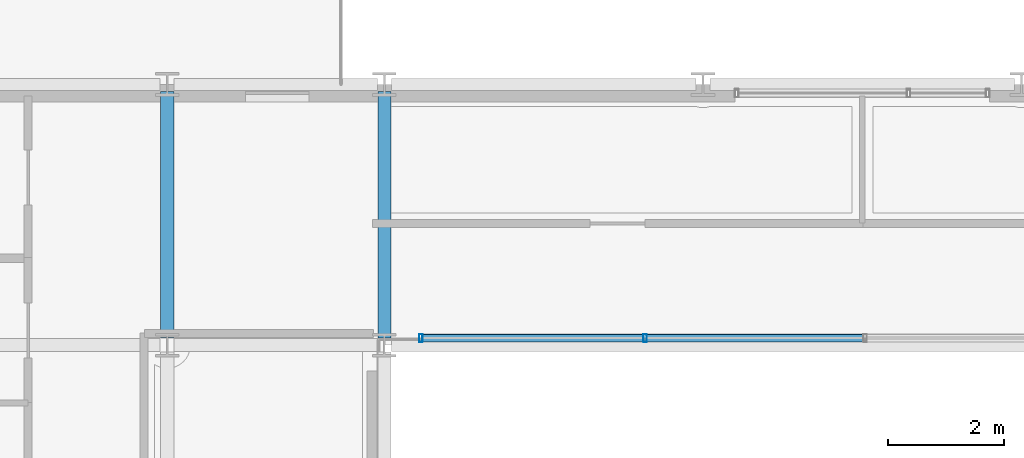
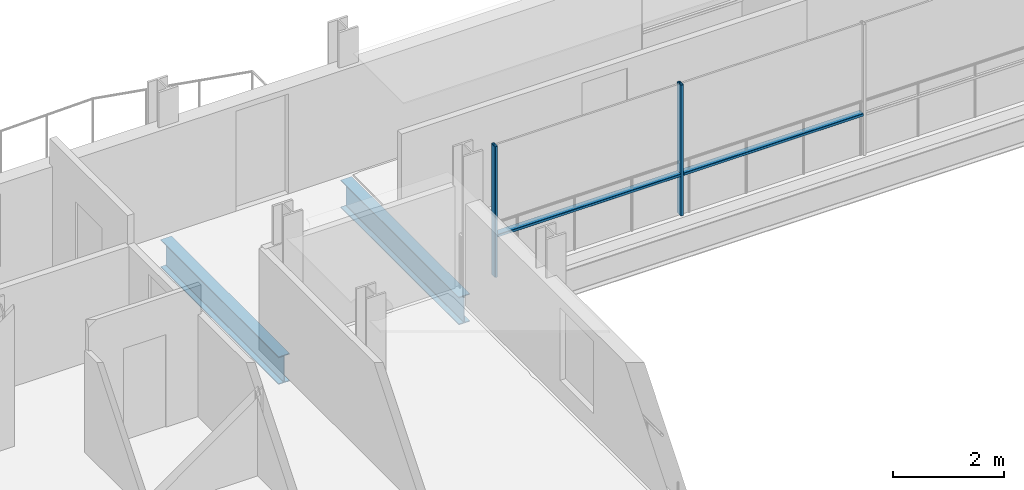
# One storey, part 11 of 41: 4 members, 2 beams, 1 element without a shape of its own.
"""IFC4 building model written with IfcOpenShell, lengths in metres."""

from ifc_helpers import new_model, si_unit, direction, frame, origin, origin_2d, place, context, subcontext, project, spatial, hollow_rectangle, i_section, extrude, material, layer, layer_set, material_profile, profile_set, type_object, element, aggregate, save


model = new_model("IFC4")

# Units and contexts
model_context = context("Model", 3, precision=1e-05, world=origin(), true_north=direction((0.0, 1.0)))
body_context = subcontext(model_context, "Body", "Model", "MODEL_VIEW")
ifc_project = project(units=[si_unit("LENGTHUNIT", "METRE"), si_unit("AREAUNIT", "SQUARE_METRE"), si_unit("VOLUMEUNIT", "CUBIC_METRE"), si_unit("PLANEANGLEUNIT", "RADIAN"), si_unit("MASSUNIT", "GRAM", prefix="KILO")], contexts=[model_context])

# Site, building, storey
site_placement = place(None, origin())
site = spatial("IfcSite", under=ifc_project, at=site_placement, CompositionType="ELEMENT")
building_placement = place(site_placement, origin())
building = spatial("IfcBuilding", under=site, at=building_placement, Name="Brevholm Reach", CompositionType="ELEMENT")
storey_placement = place(building_placement, frame((0.0, 0.0, 157.300048828125)))
storey = spatial("IfcBuildingStorey", under=building, at=storey_placement, Name="L47", CompositionType="ELEMENT", Elevation=157.300048828125)

# Beams
ifc_material_1 = material(Name="Structural Steel S355J2", Category="steel")
ifc_material_profile_1 = material_profile(ifc_material_1, i_section(OverallWidth=0.22900390625, OverallDepth=0.6123046875, WebThickness=0.011962890625, FlangeThickness=0.01953125, FilletRadius=0.0126953125, at=origin_2d()), Name="UKB 610x229x125")
ifc_profile_set_1 = profile_set([ifc_material_profile_1], Name="Structural Steel S355J2")
beam_type = type_object("IfcBeamType", Name="BM-SP610", PredefinedType="SPANDREL", material=ifc_profile_set_1)
for number, where, z_axis, x_axis, name in (
    (1, (18.0, 26.6201171875, -0.526123046875), (0.0, 1.0, 0.0), (-1.0, 0.0, 0.0), "L47 SP-01 Framing Beam"),
    (2, (21.75, 26.6201171875, -0.526123046875), (0.0, 1.0, 0.0), (-1.0, 0.0, 0.0), "L47 SP-01 Framing Beam"),
):
    element("IfcBeam", number, at=place(storey_placement, frame(where, z_axis=z_axis, x_axis=x_axis)), inside=storey, type_object=beam_type, Name=name, PredefinedType="SPANDREL", context=body_context, shape_type="SweptSolid", body=[
        extrude(i_section(OverallWidth=0.22900390625, OverallDepth=0.6123046875, WebThickness=0.011962890625, FlangeThickness=0.01953125, FilletRadius=0.0126953125, at=origin_2d()), origin(), (0.0, 0.0, 1.0), 4.259765625),
    ])

# Curtain wall, members
ifc_material_2 = material(Name="Dark Anodised Aluminium 6063-T6 and Solar-Control Glass", Category="aluminium")
ifc_layer = layer(ifc_material_2, 0.139892578125)
ifc_layer_set = layer_set([ifc_layer], Name="Dark Anodised Aluminium 6063-T6 and Solar-Control Glass")
curtain_wall_type = type_object("IfcCurtainWallType", Name="CW-02", PredefinedType="NOTDEFINED", material=ifc_layer_set)
curtain_wall_placement = place(storey_placement, origin())
curtain_wall = element("IfcCurtainWall", 3, at=curtain_wall_placement, inside=storey, type_object=curtain_wall_type, Name="L47 Curtain Wall CW-02", PredefinedType="NOTDEFINED")
ifc_material_3 = material(Name="Dark Anodised Aluminium 6063-T6", Category="aluminium")
ifc_material_profile_2 = material_profile(ifc_material_3, hollow_rectangle(XDim=0.06005859375, YDim=0.139892578125, WallThickness=0.0048828125, InnerFilletRadius=0.0048828125, OuterFilletRadius=0.010009765625, at=origin_2d()), Name="RHS 140x60x5")
ifc_profile_set_2 = profile_set([ifc_material_profile_2], Name="Dark Anodised Aluminium 6063-T6")
member_type_1 = type_object("IfcMemberType", Name="CWM-140", PredefinedType="MULLION", material=ifc_profile_set_2)
member_1_placement = place(storey_placement, frame((26.25, 26.6201171875, 0.0), z_axis=(0.0, 0.0, 1.0), x_axis=(-1.0, 0.0, 0.0)))
member_1 = element("IfcMember", 4, at=member_1_placement, type_object=member_type_1, Name="CM-140 Mullion 4", PredefinedType="MULLION", context=body_context, shape_type="SweptSolid", body=[
    extrude(hollow_rectangle(XDim=0.06005859375, YDim=0.139892578125, WallThickness=0.0048828125, InnerFilletRadius=0.0048828125, OuterFilletRadius=0.010009765625, at=origin_2d()), origin(), (0.0, 0.0, 1.0), 2.8798828125),
])
member_2_placement = place(storey_placement, frame((22.3798828125, 26.6201171875, 0.0), z_axis=(0.0, 0.0, 1.0), x_axis=(-1.0, 0.0, 0.0)))
member_2 = element("IfcMember", 5, at=member_2_placement, type_object=member_type_1, Name="CM-140 Mullion 5", PredefinedType="MULLION", context=body_context, shape_type="SweptSolid", body=[
    extrude(hollow_rectangle(XDim=0.06005859375, YDim=0.139892578125, WallThickness=0.0048828125, InnerFilletRadius=0.0048828125, OuterFilletRadius=0.010009765625, at=origin_2d()), origin(), (0.0, 0.0, 1.0), 2.8798828125),
])
ifc_material_4 = material(Name="Dark Anodised Aluminium 6063-T6", Category="aluminium")
ifc_material_profile_3 = material_profile(ifc_material_4, hollow_rectangle(XDim=0.06005859375, YDim=0.139892578125, WallThickness=0.0048828125, InnerFilletRadius=0.0048828125, OuterFilletRadius=0.010009765625, at=origin_2d()), Name="RHS 140x60x5")
ifc_profile_set_3 = profile_set([ifc_material_profile_3], Name="Dark Anodised Aluminium 6063-T6")
member_type_2 = type_object("IfcMemberType", Name="CWT-140", PredefinedType="NOTDEFINED", material=ifc_profile_set_3)
member_3_placement = place(storey_placement, frame((30.02001953125, 26.6201171875, 0.89990234375), z_axis=(-1.0, 0.0, 0.0), x_axis=(0.0, 0.0, 1.0)))
member_3 = element("IfcMember", 6, at=member_3_placement, type_object=member_type_2, Name="CT-140 Transom 3.1", ObjectType="TRANSOM", PredefinedType="USERDEFINED", context=body_context, shape_type="SweptSolid", body=[
    extrude(hollow_rectangle(XDim=0.06005859375, YDim=0.139892578125, WallThickness=0.0048828125, InnerFilletRadius=0.0048828125, OuterFilletRadius=0.010009765625, at=origin_2d()), origin(), (0.0, 0.0, 1.0), 3.739990234375),
])
member_4_placement = place(storey_placement, frame((26.219970703125, 26.6201171875, 0.89990234375), z_axis=(-1.0, 0.0, 0.0), x_axis=(0.0, 0.0, 1.0)))
member_4 = element("IfcMember", 7, at=member_4_placement, type_object=member_type_2, Name="CT-140 Transom 4.1", ObjectType="TRANSOM", PredefinedType="USERDEFINED", context=body_context, shape_type="SweptSolid", body=[
    extrude(hollow_rectangle(XDim=0.06005859375, YDim=0.139892578125, WallThickness=0.0048828125, InnerFilletRadius=0.0048828125, OuterFilletRadius=0.010009765625, at=origin_2d()), origin(), (0.0, 0.0, 1.0), 3.81005859375),
])
aggregate(curtain_wall, [member_1, member_2, member_3, member_4])

save(model, "model.ifc")
